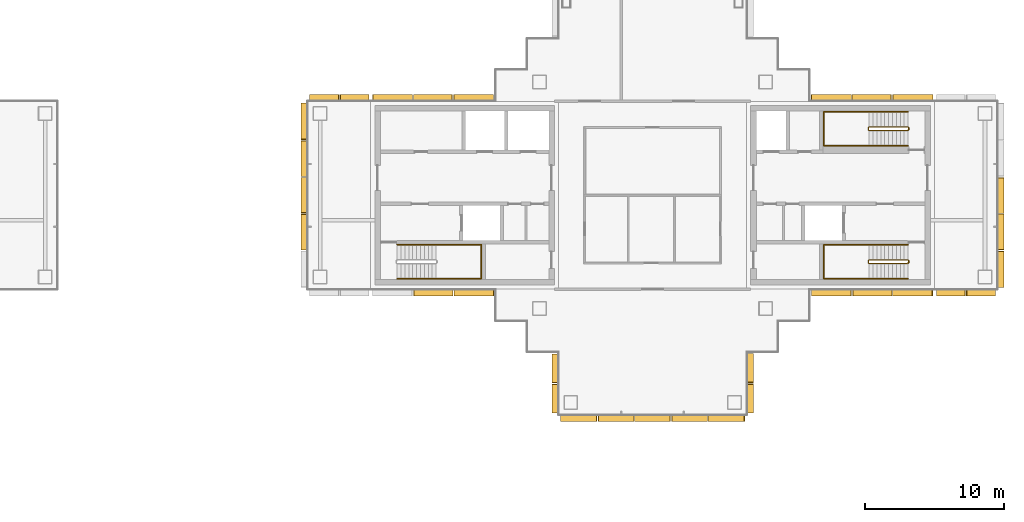
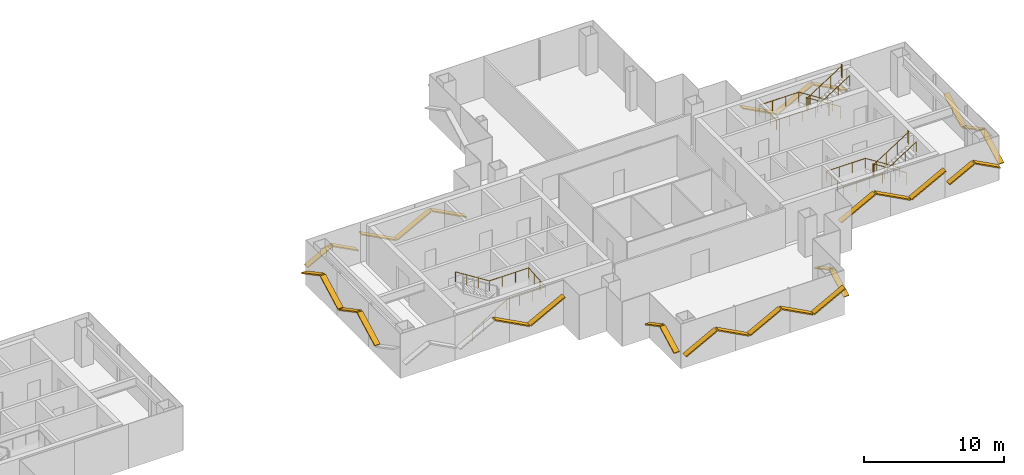
# One storey, part 15 of 17: 31 shading devices, 5 railings.
"""IFC4 building model written with IfcOpenShell, lengths in metres."""

from ifc_helpers import new_model, si_unit, direction, frame, origin, origin_2d, place, context, subcontext, project, spatial, rectangle, circle, extrude, material, material_profile, profile_set, type_object, element, save


model = new_model("IFC4")

# Units and contexts
model_context = context("Model", 3, precision=1e-05, world=origin(), true_north=direction((0.0, 1.0)))
body_context = subcontext(model_context, "Body", "Model", "MODEL_VIEW")
ifc_project = project(units=[si_unit("LENGTHUNIT", "METRE"), si_unit("AREAUNIT", "SQUARE_METRE"), si_unit("VOLUMEUNIT", "CUBIC_METRE"), si_unit("PLANEANGLEUNIT", "RADIAN"), si_unit("MASSUNIT", "GRAM", prefix="KILO")], contexts=[model_context])

# Site, building, storey
site_placement = place(None, origin())
site = spatial("IfcSite", under=ifc_project, at=site_placement, CompositionType="ELEMENT")
building_placement = place(site_placement, origin())
building = spatial("IfcBuilding", under=site, at=building_placement, Name="Shamsa Quay Exchange Towers", CompositionType="ELEMENT")
storey_placement = place(building_placement, frame((0.0, 0.0, 221.699951171875)))
storey = spatial("IfcBuildingStorey", under=building, at=storey_placement, Name="L53", CompositionType="ELEMENT", Elevation=221.699951171875)

# Shading devices
ifc_material_1 = material(Name="Aluminium EN AW-6063 T6, black anodised", Category="aluminium")
ifc_material_profile = material_profile(ifc_material_1, rectangle(XDim=0.449951171875, YDim=0.10009765625, at=origin_2d()), Name="FIN450x100")
ifc_profile_set = profile_set([ifc_material_profile], Name="Aluminium EN AW-6063 T6, black anodised")
shading_device_type = type_object("IfcShadingDeviceType", Name="FIN 450x100 BLACK ALUMINIUM", PredefinedType="USERDEFINED", material=ifc_profile_set)
shading_device_1_placement = place(storey_placement, frame((45.18798828125, -7.01904296875, 0.845703125), z_axis=(0.882964189293, 0.0, 0.469440348102), x_axis=(0.0, 1.0, 0.0)))
element("IfcShadingDevice", 1, at=shading_device_1_placement, inside=storey, type_object=shading_device_type, Name="FIN T2 chevron rib", ObjectType="FIN", PredefinedType="USERDEFINED", context=body_context, shape_type="SweptSolid", body=[
    extrude(rectangle(XDim=0.449951171875, YDim=0.10009765625, at=origin_2d()), origin(), (0.0, 0.0, 1.0), 3.21337890625),
])
shading_device_2_placement = place(storey_placement, frame((48.125244140625, -7.01904296875, 2.341064453125), z_axis=(0.882964473393, 0.0, -0.469439813742), x_axis=(0.0, 1.0, 0.0)))
element("IfcShadingDevice", 2, at=shading_device_2_placement, inside=storey, type_object=shading_device_type, Name="FIN T2 chevron rib", ObjectType="FIN", PredefinedType="USERDEFINED", context=body_context, shape_type="SweptSolid", body=[
    extrude(rectangle(XDim=0.449951171875, YDim=0.10009765625, at=origin_2d()), origin(), (0.0, 0.0, 1.0), 3.15673828125),
])
shading_device_3_placement = place(storey_placement, frame((51.0126953125, -7.01904296875, 0.845703125), z_axis=(0.882964189293, 0.0, 0.469440348102), x_axis=(0.0, 1.0, 0.0)))
element("IfcShadingDevice", 3, at=shading_device_3_placement, inside=storey, type_object=shading_device_type, Name="FIN T2 chevron rib", ObjectType="FIN", PredefinedType="USERDEFINED", context=body_context, shape_type="SweptSolid", body=[
    extrude(rectangle(XDim=0.449951171875, YDim=0.10009765625, at=origin_2d()), origin(), (0.0, 0.0, 1.0), 3.21337890625),
])
for number, where, z_axis, x_axis, name in (
    (4, (54.14990234375, -7.014892578125, 1.054931640625), (0.882937310539, 0.0, 0.469490900507), (0.0, 1.0, 0.0), "FIN T2 chevron rib"),
    (5, (56.300048828125, -7.014892578125, 2.14501953125), (0.882937310539, 0.0, -0.469490900507), (0.0, 1.0, 0.0), "FIN T2 chevron rib"),
):
    element("IfcShadingDevice", number, at=place(storey_placement, frame(where, z_axis=z_axis, x_axis=x_axis)), inside=storey, type_object=shading_device_type, Name=name, ObjectType="FIN", PredefinedType="USERDEFINED", context=body_context, shape_type="SweptSolid", body=[
        extrude(rectangle(XDim=0.449951171875, YDim=0.10009765625, at=origin_2d()), origin(), (0.0, 0.0, 1.0), 2.32177734375),
    ])
shading_device_4_placement = place(storey_placement, frame((58.764892578125, -6.60009765625, 0.911376953125), z_axis=(0.0, 0.882944327895, 0.469477703238), x_axis=(-1.0, 0.0, 0.0)))
element("IfcShadingDevice", 6, at=shading_device_4_placement, inside=storey, type_object=shading_device_type, Name="FIN T2 chevron rib", ObjectType="FIN", PredefinedType="USERDEFINED", context=body_context, shape_type="SweptSolid", body=[
    extrude(rectangle(XDim=0.449951171875, YDim=0.10009765625, at=origin_2d()), origin(), (0.0, 0.0, 1.0), 2.933349609375),
])
shading_device_5_placement = place(storey_placement, frame((58.764892578125, -3.909912109375, 2.275390625), z_axis=(0.0, 0.882925540975, -0.469513033997), x_axis=(-1.0, 0.0, 0.0)))
element("IfcShadingDevice", 7, at=shading_device_5_placement, inside=storey, type_object=shading_device_type, Name="FIN T2 chevron rib", ObjectType="FIN", PredefinedType="USERDEFINED", context=body_context, shape_type="SweptSolid", body=[
    extrude(rectangle(XDim=0.449951171875, YDim=0.10009765625, at=origin_2d()), origin(), (0.0, 0.0, 1.0), 2.87646484375),
])
shading_device_6_placement = place(storey_placement, frame((58.764892578125, -1.27001953125, 0.9248046875), z_axis=(0.0, 0.882944248312, 0.469477852909), x_axis=(-1.0, 0.0, 0.0)))
element("IfcShadingDevice", 8, at=shading_device_6_placement, inside=storey, type_object=shading_device_type, Name="FIN T2 chevron rib", ObjectType="FIN", PredefinedType="USERDEFINED", context=body_context, shape_type="SweptSolid", body=[
    extrude(rectangle(XDim=0.449951171875, YDim=0.10009765625, at=origin_2d()), origin(), (0.0, 0.0, 1.0), 2.876708984375),
])
shading_device_7_placement = place(storey_placement, frame((53.85009765625, 7.01904296875, 0.84228515625), z_axis=(-0.882953107739, 0.0, 0.469461190658), x_axis=(0.0, -1.0, 0.0)))
element("IfcShadingDevice", 9, at=shading_device_7_placement, inside=storey, type_object=shading_device_type, Name="FIN T2 chevron rib", ObjectType="FIN", PredefinedType="USERDEFINED", context=body_context, shape_type="SweptSolid", body=[
    extrude(rectangle(XDim=0.449951171875, YDim=0.10009765625, at=origin_2d()), origin(), (0.0, 0.0, 1.0), 3.22802734375),
])
shading_device_8_placement = place(storey_placement, frame((50.89990234375, 7.01904296875, 2.344482421875), z_axis=(-0.882936223509, 0.0, -0.469492944799), x_axis=(0.0, -1.0, 0.0)))
element("IfcShadingDevice", 10, at=shading_device_8_placement, inside=storey, type_object=shading_device_type, Name="FIN T2 chevron rib", ObjectType="FIN", PredefinedType="USERDEFINED", context=body_context, shape_type="SweptSolid", body=[
    extrude(rectangle(XDim=0.449951171875, YDim=0.10009765625, at=origin_2d()), origin(), (0.0, 0.0, 1.0), 3.1708984375),
])
shading_device_9_placement = place(storey_placement, frame((48.0, 7.01904296875, 0.84228515625), z_axis=(-0.882953107739, 0.0, 0.469461190658), x_axis=(0.0, -1.0, 0.0)))
element("IfcShadingDevice", 11, at=shading_device_9_placement, inside=storey, type_object=shading_device_type, Name="FIN T2 chevron rib", ObjectType="FIN", PredefinedType="USERDEFINED", context=body_context, shape_type="SweptSolid", body=[
    extrude(rectangle(XDim=0.449951171875, YDim=0.10009765625, at=origin_2d()), origin(), (0.0, 0.0, 1.0), 3.22802734375),
])
shading_device_10_placement = place(storey_placement, frame((22.31201171875, 7.01904296875, 0.845703125), z_axis=(-0.882964189293, 0.0, 0.469440348102), x_axis=(0.0, -1.0, 0.0)))
element("IfcShadingDevice", 12, at=shading_device_10_placement, inside=storey, type_object=shading_device_type, Name="FIN T2 chevron rib", ObjectType="FIN", PredefinedType="USERDEFINED", context=body_context, shape_type="SweptSolid", body=[
    extrude(rectangle(XDim=0.449951171875, YDim=0.10009765625, at=origin_2d()), origin(), (0.0, 0.0, 1.0), 3.21337890625),
])
shading_device_11_placement = place(storey_placement, frame((19.374755859375, 7.01904296875, 2.341064453125), z_axis=(-0.882964473393, 0.0, -0.469439813742), x_axis=(0.0, -1.0, 0.0)))
element("IfcShadingDevice", 13, at=shading_device_11_placement, inside=storey, type_object=shading_device_type, Name="FIN T2 chevron rib", ObjectType="FIN", PredefinedType="USERDEFINED", context=body_context, shape_type="SweptSolid", body=[
    extrude(rectangle(XDim=0.449951171875, YDim=0.10009765625, at=origin_2d()), origin(), (0.0, 0.0, 1.0), 3.15673828125),
])
shading_device_12_placement = place(storey_placement, frame((16.4873046875, 7.01904296875, 0.845703125), z_axis=(-0.882964189293, 0.0, 0.469440348102), x_axis=(0.0, -1.0, 0.0)))
element("IfcShadingDevice", 14, at=shading_device_12_placement, inside=storey, type_object=shading_device_type, Name="FIN T2 chevron rib", ObjectType="FIN", PredefinedType="USERDEFINED", context=body_context, shape_type="SweptSolid", body=[
    extrude(rectangle(XDim=0.449951171875, YDim=0.10009765625, at=origin_2d()), origin(), (0.0, 0.0, 1.0), 3.21337890625),
])
for number, where, z_axis, x_axis, name in (
    (15, (13.35009765625, 7.014892578125, 1.054931640625), (-0.882937310539, 0.0, 0.469490900507), (0.0, -1.0, 0.0), "FIN T2 chevron rib"),
    (16, (11.199951171875, 7.014892578125, 2.14501953125), (-0.882937310539, 0.0, -0.469490900507), (0.0, -1.0, 0.0), "FIN T2 chevron rib"),
):
    element("IfcShadingDevice", number, at=place(storey_placement, frame(where, z_axis=z_axis, x_axis=x_axis)), inside=storey, type_object=shading_device_type, Name=name, ObjectType="FIN", PredefinedType="USERDEFINED", context=body_context, shape_type="SweptSolid", body=[
        extrude(rectangle(XDim=0.449951171875, YDim=0.10009765625, at=origin_2d()), origin(), (0.0, 0.0, 1.0), 2.32177734375),
    ])
shading_device_13_placement = place(storey_placement, frame((8.735107421875, 6.60009765625, 0.911376953125), z_axis=(0.0, -0.882944327895, 0.469477703238), x_axis=(1.0, 0.0, 0.0)))
element("IfcShadingDevice", 17, at=shading_device_13_placement, inside=storey, type_object=shading_device_type, Name="FIN T2 chevron rib", ObjectType="FIN", PredefinedType="USERDEFINED", context=body_context, shape_type="SweptSolid", body=[
    extrude(rectangle(XDim=0.449951171875, YDim=0.10009765625, at=origin_2d()), origin(), (0.0, 0.0, 1.0), 2.933349609375),
])
shading_device_14_placement = place(storey_placement, frame((8.735107421875, 3.909912109375, 2.275390625), z_axis=(0.0, -0.882925540975, -0.469513033997), x_axis=(1.0, 0.0, 0.0)))
element("IfcShadingDevice", 18, at=shading_device_14_placement, inside=storey, type_object=shading_device_type, Name="FIN T2 chevron rib", ObjectType="FIN", PredefinedType="USERDEFINED", context=body_context, shape_type="SweptSolid", body=[
    extrude(rectangle(XDim=0.449951171875, YDim=0.10009765625, at=origin_2d()), origin(), (0.0, 0.0, 1.0), 2.87646484375),
])
shading_device_15_placement = place(storey_placement, frame((8.735107421875, 1.27001953125, 0.9248046875), z_axis=(0.0, -0.882944248312, 0.469477852909), x_axis=(1.0, 0.0, 0.0)))
element("IfcShadingDevice", 19, at=shading_device_15_placement, inside=storey, type_object=shading_device_type, Name="FIN T2 chevron rib", ObjectType="FIN", PredefinedType="USERDEFINED", context=body_context, shape_type="SweptSolid", body=[
    extrude(rectangle(XDim=0.449951171875, YDim=0.10009765625, at=origin_2d()), origin(), (0.0, 0.0, 1.0), 2.876708984375),
])
shading_device_16_placement = place(storey_placement, frame((8.735107421875, -1.3701171875, 2.275390625), z_axis=(0.0, -0.882925540975, -0.469513033997), x_axis=(1.0, 0.0, 0.0)))
element("IfcShadingDevice", 20, at=shading_device_16_placement, inside=storey, type_object=shading_device_type, Name="FIN T2 chevron rib", ObjectType="FIN", PredefinedType="USERDEFINED", context=body_context, shape_type="SweptSolid", body=[
    extrude(rectangle(XDim=0.449951171875, YDim=0.10009765625, at=origin_2d()), origin(), (0.0, 0.0, 1.0), 2.87646484375),
])
shading_device_17_placement = place(storey_placement, frame((16.60009765625, -7.01904296875, 2.344482421875), z_axis=(0.882936223509, 0.0, -0.469492944799), x_axis=(0.0, 1.0, 0.0)))
element("IfcShadingDevice", 21, at=shading_device_17_placement, inside=storey, type_object=shading_device_type, Name="FIN T2 chevron rib", ObjectType="FIN", PredefinedType="USERDEFINED", context=body_context, shape_type="SweptSolid", body=[
    extrude(rectangle(XDim=0.449951171875, YDim=0.10009765625, at=origin_2d()), origin(), (0.0, 0.0, 1.0), 3.1708984375),
])
shading_device_18_placement = place(storey_placement, frame((19.5, -7.01904296875, 0.84228515625), z_axis=(0.882953107739, 0.0, 0.469461190658), x_axis=(0.0, 1.0, 0.0)))
element("IfcShadingDevice", 22, at=shading_device_18_placement, inside=storey, type_object=shading_device_type, Name="FIN T2 chevron rib", ObjectType="FIN", PredefinedType="USERDEFINED", context=body_context, shape_type="SweptSolid", body=[
    extrude(rectangle(XDim=0.449951171875, YDim=0.10009765625, at=origin_2d()), origin(), (0.0, 0.0, 1.0), 3.22802734375),
])
for number, where, z_axis, x_axis, name in (
    (23, (26.735107421875, -11.43798828125, 1.06005859375), (0.0, -0.882960384929, 0.469447503611), (1.0, 0.0, 0.0), "FIN T2 chevron rib"),
    (24, (26.735107421875, -13.569091796875, 2.139892578125), (0.0, -0.882960384929, -0.469447503611), (1.0, 0.0, 0.0), "FIN T2 chevron rib"),
):
    element("IfcShadingDevice", number, at=place(storey_placement, frame(where, z_axis=z_axis, x_axis=x_axis)), inside=storey, type_object=shading_device_type, Name=name, ObjectType="FIN", PredefinedType="USERDEFINED", context=body_context, shape_type="SweptSolid", body=[
        extrude(rectangle(XDim=0.449951171875, YDim=0.10009765625, at=origin_2d()), origin(), (0.0, 0.0, 1.0), 2.30029296875),
    ])
shading_device_19_placement = place(storey_placement, frame((27.14990234375, -16.014892578125, 0.911376953125), z_axis=(0.882944327895, 0.0, 0.469477703238), x_axis=(0.0, 1.0, 0.0)))
element("IfcShadingDevice", 25, at=shading_device_19_placement, inside=storey, type_object=shading_device_type, Name="FIN T2 chevron rib", ObjectType="FIN", PredefinedType="USERDEFINED", context=body_context, shape_type="SweptSolid", body=[
    extrude(rectangle(XDim=0.449951171875, YDim=0.10009765625, at=origin_2d()), origin(), (0.0, 0.0, 1.0), 2.933349609375),
])
shading_device_20_placement = place(storey_placement, frame((29.840087890625, -16.014892578125, 2.275390625), z_axis=(0.882925540975, 0.0, -0.469513033997), x_axis=(0.0, 1.0, 0.0)))
element("IfcShadingDevice", 26, at=shading_device_20_placement, inside=storey, type_object=shading_device_type, Name="FIN T2 chevron rib", ObjectType="FIN", PredefinedType="USERDEFINED", context=body_context, shape_type="SweptSolid", body=[
    extrude(rectangle(XDim=0.449951171875, YDim=0.10009765625, at=origin_2d()), origin(), (0.0, 0.0, 1.0), 2.87646484375),
])
shading_device_21_placement = place(storey_placement, frame((32.47998046875, -16.014892578125, 0.9248046875), z_axis=(0.882944248312, 0.0, 0.469477852909), x_axis=(0.0, 1.0, 0.0)))
element("IfcShadingDevice", 27, at=shading_device_21_placement, inside=storey, type_object=shading_device_type, Name="FIN T2 chevron rib", ObjectType="FIN", PredefinedType="USERDEFINED", context=body_context, shape_type="SweptSolid", body=[
    extrude(rectangle(XDim=0.449951171875, YDim=0.10009765625, at=origin_2d()), origin(), (0.0, 0.0, 1.0), 2.876708984375),
])
shading_device_22_placement = place(storey_placement, frame((35.1201171875, -16.014892578125, 2.275390625), z_axis=(0.882925540975, 0.0, -0.469513033997), x_axis=(0.0, 1.0, 0.0)))
element("IfcShadingDevice", 28, at=shading_device_22_placement, inside=storey, type_object=shading_device_type, Name="FIN T2 chevron rib", ObjectType="FIN", PredefinedType="USERDEFINED", context=body_context, shape_type="SweptSolid", body=[
    extrude(rectangle(XDim=0.449951171875, YDim=0.10009765625, at=origin_2d()), origin(), (0.0, 0.0, 1.0), 2.87646484375),
])
shading_device_23_placement = place(storey_placement, frame((37.760009765625, -16.014892578125, 0.911376953125), z_axis=(0.882944327895, 0.0, 0.469477703238), x_axis=(0.0, 1.0, 0.0)))
element("IfcShadingDevice", 29, at=shading_device_23_placement, inside=storey, type_object=shading_device_type, Name="FIN T2 chevron rib", ObjectType="FIN", PredefinedType="USERDEFINED", context=body_context, shape_type="SweptSolid", body=[
    extrude(rectangle(XDim=0.449951171875, YDim=0.10009765625, at=origin_2d()), origin(), (0.0, 0.0, 1.0), 2.933349609375),
])
for number, where, z_axis, x_axis, name in (
    (30, (40.764892578125, -15.60009765625, 1.054931640625), (0.0, 0.882937310539, 0.469490900507), (-1.0, 0.0, 0.0), "FIN T2 chevron rib"),
    (31, (40.764892578125, -13.449951171875, 2.14501953125), (0.0, 0.882937310539, -0.469490900507), (-1.0, 0.0, 0.0), "FIN T2 chevron rib"),
):
    element("IfcShadingDevice", number, at=place(storey_placement, frame(where, z_axis=z_axis, x_axis=x_axis)), inside=storey, type_object=shading_device_type, Name=name, ObjectType="FIN", PredefinedType="USERDEFINED", context=body_context, shape_type="SweptSolid", body=[
        extrude(rectangle(XDim=0.449951171875, YDim=0.10009765625, at=origin_2d()), origin(), (0.0, 0.0, 1.0), 2.32177734375),
    ])

# Railings
ifc_material_2 = material(Name="Stainless steel", Category="steel")
railing_type_1 = type_object("IfcRailingType", Name="STAIR GUARD 1100", PredefinedType="GUARDRAIL", material=ifc_material_2)
railing_1_placement = place(storey_placement, frame((52.10009765625, -4.64990234375, 0.17724609375)))
element("IfcRailing", 32, at=railing_1_placement, inside=storey, type_object=railing_type_1, Name="L53 ST5 stair guard 1", PredefinedType="GUARDRAIL", context=body_context, shape_type="SweptSolid", body=[
    extrude(circle(Radius=0.02392578125, at=origin_2d()), frame((0.0, 0.0, 1.076171875), z_axis=(-0.844908973607, 0.0, 0.534910110503), x_axis=(0.0, -1.0, 0.0)), (0.0, 0.0, 1.0), 3.31396484375),
    extrude(circle(Radius=0.02392578125, at=origin_2d()), frame((-2.800048828125, 0.0, 2.8486328125), z_axis=(-0.707106781187, -0.707106781187, 0.0), x_axis=(0.707106781187, -0.707106781187, 0.0)), (0.0, 0.0, 1.0), 0.07080078125),
    extrude(circle(Radius=0.02392578125, at=origin_2d()), frame((-2.85009765625, -0.050048828125, 2.8486328125), z_axis=(0.0, -1.0, 0.0), x_axis=(1.0, 0.0, 0.0)), (0.0, 0.0, 1.0), 0.150146484375),
    extrude(circle(Radius=0.02392578125, at=origin_2d()), frame((-2.85009765625, -0.2001953125, 2.8486328125), z_axis=(0.262009983441, -0.260731885961, 0.929176868105), x_axis=(0.705375805398, 0.708833529934, 0.0)), (0.0, 0.0, 1.0), 0.19091796875),
    extrude(circle(Radius=0.02392578125, at=origin_2d()), frame((-2.800048828125, -0.25, 3.0263671875), z_axis=(0.844908973607, 0.0, 0.534910110503), x_axis=(0.0, 1.0, 0.0)), (0.0, 0.0, 1.0), 3.31396484375),
    extrude(circle(Radius=0.02392578125, at=origin_2d()), frame((0.0, -0.25, 4.798828125), z_axis=(0.241699205484, 0.970351222016, 0.0), x_axis=(-0.970351222016, 0.241699205484, 0.0)), (0.0, 0.0, 1.0), 0.2060546875),
    extrude(circle(Radius=0.02392578125, at=origin_2d()), frame((0.0498046875, -0.050048828125, 4.798828125), z_axis=(0.0, -1.0, 0.0), x_axis=(1.0, 0.0, 0.0)), (0.0, 0.0, 1.0), 0.150146484375),
    extrude(circle(Radius=0.02099609375, at=origin_2d()), origin(), (0.0, 0.0, 1.0), 1.052001953125),
    extrude(circle(Radius=0.02099609375, at=origin_2d()), frame((-0.933349609375, 0.0, 0.5908203125)), (0.0, 0.0, 1.0), 1.052001953125),
    extrude(circle(Radius=0.02099609375, at=origin_2d()), frame((-1.86669921875, 0.0, 1.181884765625)), (0.0, 0.0, 1.0), 1.052001953125),
    extrude(circle(Radius=0.02099609375, at=origin_2d()), frame((-2.800048828125, 0.0, 1.772705078125)), (0.0, 0.0, 1.0), 1.052001953125),
    extrude(circle(Radius=0.02099609375, at=origin_2d()), frame((-2.85009765625, -0.050048828125, 1.772705078125)), (0.0, 0.0, 1.0), 1.052001953125),
    extrude(circle(Radius=0.02099609375, at=origin_2d()), frame((-2.85009765625, -0.2001953125, 1.772705078125)), (0.0, 0.0, 1.0), 1.052001953125),
    extrude(circle(Radius=0.02099609375, at=origin_2d()), frame((-2.800048828125, -0.25, 1.9501953125)), (0.0, 0.0, 1.0), 1.052001953125),
    extrude(circle(Radius=0.02099609375, at=origin_2d()), frame((-1.86669921875, -0.25, 2.541015625)), (0.0, 0.0, 1.0), 1.052001953125),
    extrude(circle(Radius=0.02099609375, at=origin_2d()), frame((-0.933349609375, -0.25, 3.132080078125)), (0.0, 0.0, 1.0), 1.052001953125),
    extrude(circle(Radius=0.02099609375, at=origin_2d()), frame((0.0, -0.25, 3.722900390625)), (0.0, 0.0, 1.0), 1.052001953125),
    extrude(circle(Radius=0.02099609375, at=origin_2d()), frame((0.0498046875, -0.050048828125, 3.722900390625)), (0.0, 0.0, 1.0), 1.052001953125),
    extrude(circle(Radius=0.02099609375, at=origin_2d()), frame((0.0498046875, -0.2001953125, 3.722900390625)), (0.0, 0.0, 1.0), 1.052001953125),
])
railing_2_placement = place(storey_placement, frame((52.10009765625, 4.89990234375, 0.17724609375)))
element("IfcRailing", 33, at=railing_2_placement, inside=storey, type_object=railing_type_1, Name="L53 ST6 stair guard 1", PredefinedType="GUARDRAIL", context=body_context, shape_type="SweptSolid", body=[
    extrude(circle(Radius=0.02392578125, at=origin_2d()), frame((0.0, 0.0, 1.076171875), z_axis=(-0.844908973607, 0.0, 0.534910110503), x_axis=(0.0, -1.0, 0.0)), (0.0, 0.0, 1.0), 3.31396484375),
    extrude(circle(Radius=0.02392578125, at=origin_2d()), frame((-2.800048828125, 0.0, 2.8486328125), z_axis=(-0.708833529934, -0.705375805398, 0.0), x_axis=(0.705375805398, -0.708833529934, 0.0)), (0.0, 0.0, 1.0), 0.070556640625),
    extrude(circle(Radius=0.02392578125, at=origin_2d()), frame((-2.85009765625, -0.0498046875, 2.8486328125), z_axis=(0.0, -1.0, 0.0), x_axis=(1.0, 0.0, 0.0)), (0.0, 0.0, 1.0), 0.150146484375),
    extrude(circle(Radius=0.02392578125, at=origin_2d()), frame((-2.85009765625, -0.199951171875, 2.8486328125), z_axis=(0.261922500866, -0.261922500866, 0.928866625022), x_axis=(0.707106781187, 0.707106781187, 0.0)), (0.0, 0.0, 1.0), 0.191162109375),
    extrude(circle(Radius=0.02392578125, at=origin_2d()), frame((-2.800048828125, -0.25, 3.0263671875), z_axis=(0.844908973607, 0.0, 0.534910110503), x_axis=(0.0, 1.0, 0.0)), (0.0, 0.0, 1.0), 3.31396484375),
    extrude(circle(Radius=0.02392578125, at=origin_2d()), frame((0.0, -0.25, 4.798828125), z_axis=(0.24142163986, 0.970420317083, 0.0), x_axis=(-0.970420317083, 0.24142163986, 0.0)), (0.0, 0.0, 1.0), 0.206298828125),
    extrude(circle(Radius=0.02392578125, at=origin_2d()), frame((0.0498046875, -0.0498046875, 4.798828125), z_axis=(0.0, -1.0, 0.0), x_axis=(1.0, 0.0, 0.0)), (0.0, 0.0, 1.0), 0.150146484375),
    extrude(circle(Radius=0.02099609375, at=origin_2d()), origin(), (0.0, 0.0, 1.0), 1.052001953125),
    extrude(circle(Radius=0.02099609375, at=origin_2d()), frame((-0.933349609375, 0.0, 0.5908203125)), (0.0, 0.0, 1.0), 1.052001953125),
    extrude(circle(Radius=0.02099609375, at=origin_2d()), frame((-1.86669921875, 0.0, 1.181884765625)), (0.0, 0.0, 1.0), 1.052001953125),
    extrude(circle(Radius=0.02099609375, at=origin_2d()), frame((-2.800048828125, 0.0, 1.772705078125)), (0.0, 0.0, 1.0), 1.052001953125),
    extrude(circle(Radius=0.02099609375, at=origin_2d()), frame((-2.85009765625, -0.0498046875, 1.772705078125)), (0.0, 0.0, 1.0), 1.052001953125),
    extrude(circle(Radius=0.02099609375, at=origin_2d()), frame((-2.85009765625, -0.199951171875, 1.772705078125)), (0.0, 0.0, 1.0), 1.052001953125),
    extrude(circle(Radius=0.02099609375, at=origin_2d()), frame((-2.800048828125, -0.25, 1.9501953125)), (0.0, 0.0, 1.0), 1.052001953125),
    extrude(circle(Radius=0.02099609375, at=origin_2d()), frame((-1.86669921875, -0.25, 2.541015625)), (0.0, 0.0, 1.0), 1.052001953125),
    extrude(circle(Radius=0.02099609375, at=origin_2d()), frame((-0.933349609375, -0.25, 3.132080078125)), (0.0, 0.0, 1.0), 1.052001953125),
    extrude(circle(Radius=0.02099609375, at=origin_2d()), frame((0.0, -0.25, 3.722900390625)), (0.0, 0.0, 1.0), 1.052001953125),
    extrude(circle(Radius=0.02099609375, at=origin_2d()), frame((0.0498046875, -0.0498046875, 3.722900390625)), (0.0, 0.0, 1.0), 1.052001953125),
    extrude(circle(Radius=0.02099609375, at=origin_2d()), frame((0.0498046875, -0.199951171875, 3.722900390625)), (0.0, 0.0, 1.0), 1.052001953125),
])
railing_type_2 = type_object("IfcRailingType", Name="STAIR HANDRAIL 900", PredefinedType="HANDRAIL", material=ifc_material_2)
railing_3_placement = place(storey_placement, frame((15.39990234375, -6.0, 0.17724609375)))
element("IfcRailing", 34, at=railing_3_placement, inside=storey, type_object=railing_type_2, Name="L53 ST4 stair handrail 1", PredefinedType="HANDRAIL", context=body_context, shape_type="SweptSolid", body=[
    extrude(circle(Radius=0.02392578125, at=origin_2d()), frame((0.0, 0.0, 0.8759765625), z_axis=(0.844908973607, 0.0, 0.534910110503), x_axis=(0.0, 1.0, 0.0)), (0.0, 0.0, 1.0), 3.31396484375),
    extrude(circle(Radius=0.02392578125, at=origin_2d()), frame((2.800048828125, 0.0, 2.6484375), z_axis=(1.0, 0.0, 0.0), x_axis=(0.0, 1.0, 0.0)), (0.0, 0.0, 1.0), 3.25),
    extrude(circle(Radius=0.02392578125, at=origin_2d()), frame((6.050048828125, 0.0, 2.6484375), z_axis=(0.0, 0.997386041853, 0.072257065513), x_axis=(-1.0, 0.0, 0.0)), (0.0, 0.0, 1.0), 2.456298828125),
    extrude(circle(Radius=0.02392578125, at=origin_2d()), frame((6.050048828125, 2.449951171875, 2.826171875), z_axis=(-1.0, 0.0, 0.0), x_axis=(0.0, -1.0, 0.0)), (0.0, 0.0, 1.0), 3.25),
    extrude(circle(Radius=0.02392578125, at=origin_2d()), frame((2.800048828125, 2.449951171875, 2.826171875), z_axis=(-0.844908973607, 0.0, 0.534910110503), x_axis=(0.0, -1.0, 0.0)), (0.0, 0.0, 1.0), 3.31396484375),
    extrude(circle(Radius=0.02099609375, at=origin_2d()), origin(), (0.0, 0.0, 1.0), 0.851806640625),
    extrude(circle(Radius=0.02099609375, at=origin_2d()), frame((0.933349609375, 0.0, 0.5908203125)), (0.0, 0.0, 1.0), 0.851806640625),
    extrude(circle(Radius=0.02099609375, at=origin_2d()), frame((1.86669921875, 0.0, 1.181884765625)), (0.0, 0.0, 1.0), 0.851806640625),
    extrude(circle(Radius=0.02099609375, at=origin_2d()), frame((2.800048828125, 0.0, 1.772705078125)), (0.0, 0.0, 1.0), 0.851806640625),
    extrude(circle(Radius=0.02099609375, at=origin_2d()), frame((3.88330078125, 0.0, 1.772705078125)), (0.0, 0.0, 1.0), 0.851806640625),
    extrude(circle(Radius=0.02099609375, at=origin_2d()), frame((4.966796875, 0.0, 1.772705078125)), (0.0, 0.0, 1.0), 0.851806640625),
    extrude(circle(Radius=0.02099609375, at=origin_2d()), frame((6.050048828125, 0.0, 1.772705078125)), (0.0, 0.0, 1.0), 0.851806640625),
    extrude(circle(Radius=0.02099609375, at=origin_2d()), frame((6.050048828125, 0.816650390625, 1.831787109375)), (0.0, 0.0, 1.0), 0.851806640625),
    extrude(circle(Radius=0.02099609375, at=origin_2d()), frame((6.050048828125, 1.63330078125, 1.89111328125)), (0.0, 0.0, 1.0), 0.851806640625),
    extrude(circle(Radius=0.02099609375, at=origin_2d()), frame((6.050048828125, 2.449951171875, 1.9501953125)), (0.0, 0.0, 1.0), 0.851806640625),
    extrude(circle(Radius=0.02099609375, at=origin_2d()), frame((4.966796875, 2.449951171875, 1.9501953125)), (0.0, 0.0, 1.0), 0.851806640625),
    extrude(circle(Radius=0.02099609375, at=origin_2d()), frame((3.88330078125, 2.449951171875, 1.9501953125)), (0.0, 0.0, 1.0), 0.851806640625),
    extrude(circle(Radius=0.02099609375, at=origin_2d()), frame((2.800048828125, 2.449951171875, 1.9501953125)), (0.0, 0.0, 1.0), 0.851806640625),
    extrude(circle(Radius=0.02099609375, at=origin_2d()), frame((1.86669921875, 2.449951171875, 2.541015625)), (0.0, 0.0, 1.0), 0.851806640625),
    extrude(circle(Radius=0.02099609375, at=origin_2d()), frame((0.933349609375, 2.449951171875, 3.132080078125)), (0.0, 0.0, 1.0), 0.851806640625),
    extrude(circle(Radius=0.02099609375, at=origin_2d()), frame((0.0, 2.449951171875, 3.722900390625)), (0.0, 0.0, 1.0), 0.851806640625),
])
railing_4_placement = place(storey_placement, frame((52.10009765625, -3.550048828125, 0.17724609375)))
element("IfcRailing", 35, at=railing_4_placement, inside=storey, type_object=railing_type_2, Name="L53 ST5 stair handrail 1", PredefinedType="HANDRAIL", context=body_context, shape_type="SweptSolid", body=[
    extrude(circle(Radius=0.02392578125, at=origin_2d()), frame((0.0, 0.0, 0.8759765625), z_axis=(-0.844908973607, 0.0, 0.534910110503), x_axis=(0.0, -1.0, 0.0)), (0.0, 0.0, 1.0), 3.31396484375),
    extrude(circle(Radius=0.02392578125, at=origin_2d()), frame((-2.800048828125, 0.0, 2.6484375), z_axis=(-1.0, 0.0, 0.0), x_axis=(0.0, -1.0, 0.0)), (0.0, 0.0, 1.0), 3.25),
    extrude(circle(Radius=0.02392578125, at=origin_2d()), frame((-6.050048828125, 0.0, 2.6484375), z_axis=(0.0, -0.997386041853, 0.072257065513), x_axis=(1.0, 0.0, 0.0)), (0.0, 0.0, 1.0), 2.456298828125),
    extrude(circle(Radius=0.02392578125, at=origin_2d()), frame((-6.050048828125, -2.449951171875, 2.826171875), z_axis=(1.0, 0.0, 0.0), x_axis=(0.0, 1.0, 0.0)), (0.0, 0.0, 1.0), 3.25),
    extrude(circle(Radius=0.02392578125, at=origin_2d()), frame((-2.800048828125, -2.449951171875, 2.826171875), z_axis=(0.844908973607, 0.0, 0.534910110503), x_axis=(0.0, 1.0, 0.0)), (0.0, 0.0, 1.0), 3.31396484375),
    extrude(circle(Radius=0.02099609375, at=origin_2d()), origin(), (0.0, 0.0, 1.0), 0.851806640625),
    extrude(circle(Radius=0.02099609375, at=origin_2d()), frame((-0.933349609375, 0.0, 0.5908203125)), (0.0, 0.0, 1.0), 0.851806640625),
    extrude(circle(Radius=0.02099609375, at=origin_2d()), frame((-1.86669921875, 0.0, 1.181884765625)), (0.0, 0.0, 1.0), 0.851806640625),
    extrude(circle(Radius=0.02099609375, at=origin_2d()), frame((-2.800048828125, 0.0, 1.772705078125)), (0.0, 0.0, 1.0), 0.851806640625),
    extrude(circle(Radius=0.02099609375, at=origin_2d()), frame((-3.88330078125, 0.0, 1.772705078125)), (0.0, 0.0, 1.0), 0.851806640625),
    extrude(circle(Radius=0.02099609375, at=origin_2d()), frame((-4.966796875, 0.0, 1.772705078125)), (0.0, 0.0, 1.0), 0.851806640625),
    extrude(circle(Radius=0.02099609375, at=origin_2d()), frame((-6.050048828125, 0.0, 1.772705078125)), (0.0, 0.0, 1.0), 0.851806640625),
    extrude(circle(Radius=0.02099609375, at=origin_2d()), frame((-6.050048828125, -0.816650390625, 1.831787109375)), (0.0, 0.0, 1.0), 0.851806640625),
    extrude(circle(Radius=0.02099609375, at=origin_2d()), frame((-6.050048828125, -1.63330078125, 1.89111328125)), (0.0, 0.0, 1.0), 0.851806640625),
    extrude(circle(Radius=0.02099609375, at=origin_2d()), frame((-6.050048828125, -2.449951171875, 1.9501953125)), (0.0, 0.0, 1.0), 0.851806640625),
    extrude(circle(Radius=0.02099609375, at=origin_2d()), frame((-4.966796875, -2.449951171875, 1.9501953125)), (0.0, 0.0, 1.0), 0.851806640625),
    extrude(circle(Radius=0.02099609375, at=origin_2d()), frame((-3.88330078125, -2.449951171875, 1.9501953125)), (0.0, 0.0, 1.0), 0.851806640625),
    extrude(circle(Radius=0.02099609375, at=origin_2d()), frame((-2.800048828125, -2.449951171875, 1.9501953125)), (0.0, 0.0, 1.0), 0.851806640625),
    extrude(circle(Radius=0.02099609375, at=origin_2d()), frame((-1.86669921875, -2.449951171875, 2.541015625)), (0.0, 0.0, 1.0), 0.851806640625),
    extrude(circle(Radius=0.02099609375, at=origin_2d()), frame((-0.933349609375, -2.449951171875, 3.132080078125)), (0.0, 0.0, 1.0), 0.851806640625),
    extrude(circle(Radius=0.02099609375, at=origin_2d()), frame((0.0, -2.449951171875, 3.722900390625)), (0.0, 0.0, 1.0), 0.851806640625),
])
railing_5_placement = place(storey_placement, frame((52.10009765625, 6.0, 0.17724609375)))
element("IfcRailing", 36, at=railing_5_placement, inside=storey, type_object=railing_type_2, Name="L53 ST6 stair handrail 1", PredefinedType="HANDRAIL", context=body_context, shape_type="SweptSolid", body=[
    extrude(circle(Radius=0.02392578125, at=origin_2d()), frame((0.0, 0.0, 0.8759765625), z_axis=(-0.844908973607, 0.0, 0.534910110503), x_axis=(0.0, -1.0, 0.0)), (0.0, 0.0, 1.0), 3.31396484375),
    extrude(circle(Radius=0.02392578125, at=origin_2d()), frame((-2.800048828125, 0.0, 2.6484375), z_axis=(-1.0, 0.0, 0.0), x_axis=(0.0, -1.0, 0.0)), (0.0, 0.0, 1.0), 3.25),
    extrude(circle(Radius=0.02392578125, at=origin_2d()), frame((-6.050048828125, 0.0, 2.6484375), z_axis=(0.0, -0.997386041853, 0.072257065513), x_axis=(1.0, 0.0, 0.0)), (0.0, 0.0, 1.0), 2.456298828125),
    extrude(circle(Radius=0.02392578125, at=origin_2d()), frame((-6.050048828125, -2.449951171875, 2.826171875), z_axis=(1.0, 0.0, 0.0), x_axis=(0.0, 1.0, 0.0)), (0.0, 0.0, 1.0), 3.25),
    extrude(circle(Radius=0.02392578125, at=origin_2d()), frame((-2.800048828125, -2.449951171875, 2.826171875), z_axis=(0.844908973607, 0.0, 0.534910110503), x_axis=(0.0, 1.0, 0.0)), (0.0, 0.0, 1.0), 3.31396484375),
    extrude(circle(Radius=0.02099609375, at=origin_2d()), origin(), (0.0, 0.0, 1.0), 0.851806640625),
    extrude(circle(Radius=0.02099609375, at=origin_2d()), frame((-0.933349609375, 0.0, 0.5908203125)), (0.0, 0.0, 1.0), 0.851806640625),
    extrude(circle(Radius=0.02099609375, at=origin_2d()), frame((-1.86669921875, 0.0, 1.181884765625)), (0.0, 0.0, 1.0), 0.851806640625),
    extrude(circle(Radius=0.02099609375, at=origin_2d()), frame((-2.800048828125, 0.0, 1.772705078125)), (0.0, 0.0, 1.0), 0.851806640625),
    extrude(circle(Radius=0.02099609375, at=origin_2d()), frame((-3.88330078125, 0.0, 1.772705078125)), (0.0, 0.0, 1.0), 0.851806640625),
    extrude(circle(Radius=0.02099609375, at=origin_2d()), frame((-4.966796875, 0.0, 1.772705078125)), (0.0, 0.0, 1.0), 0.851806640625),
    extrude(circle(Radius=0.02099609375, at=origin_2d()), frame((-6.050048828125, 0.0, 1.772705078125)), (0.0, 0.0, 1.0), 0.851806640625),
    extrude(circle(Radius=0.02099609375, at=origin_2d()), frame((-6.050048828125, -0.816650390625, 1.831787109375)), (0.0, 0.0, 1.0), 0.851806640625),
    extrude(circle(Radius=0.02099609375, at=origin_2d()), frame((-6.050048828125, -1.63330078125, 1.89111328125)), (0.0, 0.0, 1.0), 0.851806640625),
    extrude(circle(Radius=0.02099609375, at=origin_2d()), frame((-6.050048828125, -2.449951171875, 1.9501953125)), (0.0, 0.0, 1.0), 0.851806640625),
    extrude(circle(Radius=0.02099609375, at=origin_2d()), frame((-4.966796875, -2.449951171875, 1.9501953125)), (0.0, 0.0, 1.0), 0.851806640625),
    extrude(circle(Radius=0.02099609375, at=origin_2d()), frame((-3.88330078125, -2.449951171875, 1.9501953125)), (0.0, 0.0, 1.0), 0.851806640625),
    extrude(circle(Radius=0.02099609375, at=origin_2d()), frame((-2.800048828125, -2.449951171875, 1.9501953125)), (0.0, 0.0, 1.0), 0.851806640625),
    extrude(circle(Radius=0.02099609375, at=origin_2d()), frame((-1.86669921875, -2.449951171875, 2.541015625)), (0.0, 0.0, 1.0), 0.851806640625),
    extrude(circle(Radius=0.02099609375, at=origin_2d()), frame((-0.933349609375, -2.449951171875, 3.132080078125)), (0.0, 0.0, 1.0), 0.851806640625),
    extrude(circle(Radius=0.02099609375, at=origin_2d()), frame((0.0, -2.449951171875, 3.722900390625)), (0.0, 0.0, 1.0), 0.851806640625),
])

save(model, "model.ifc")
